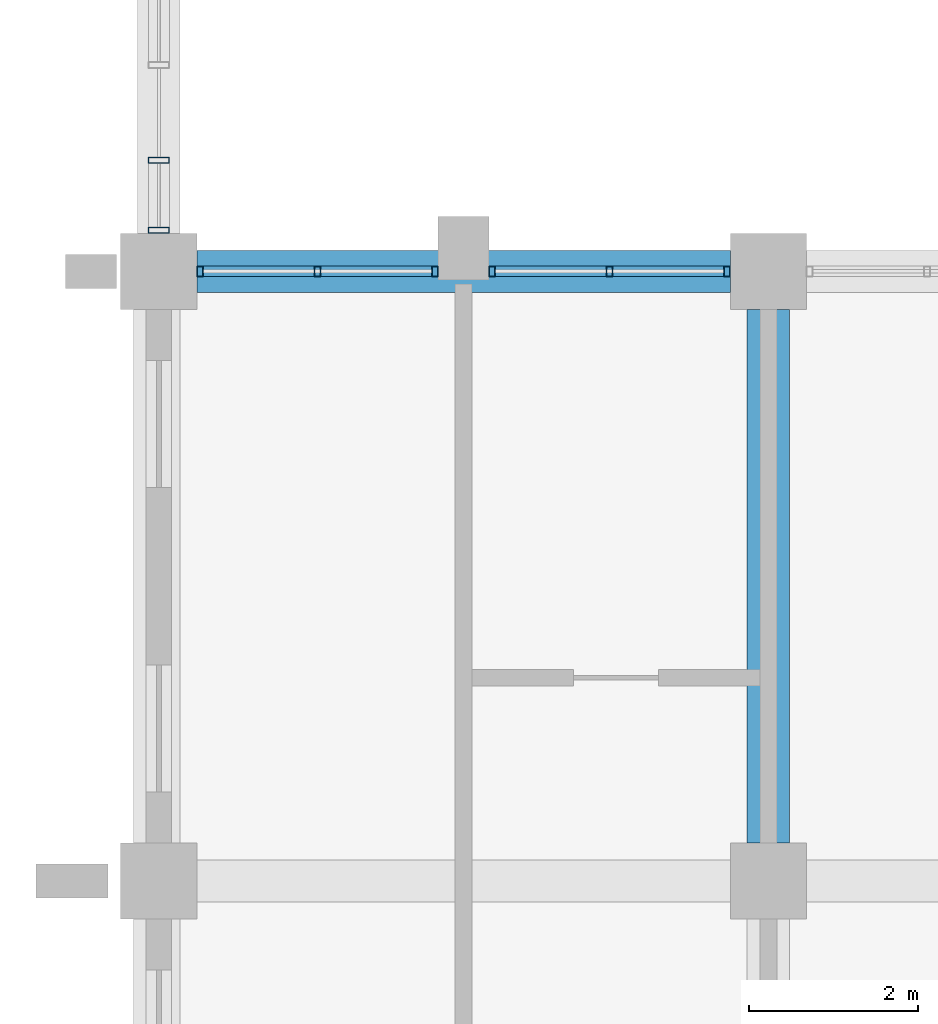
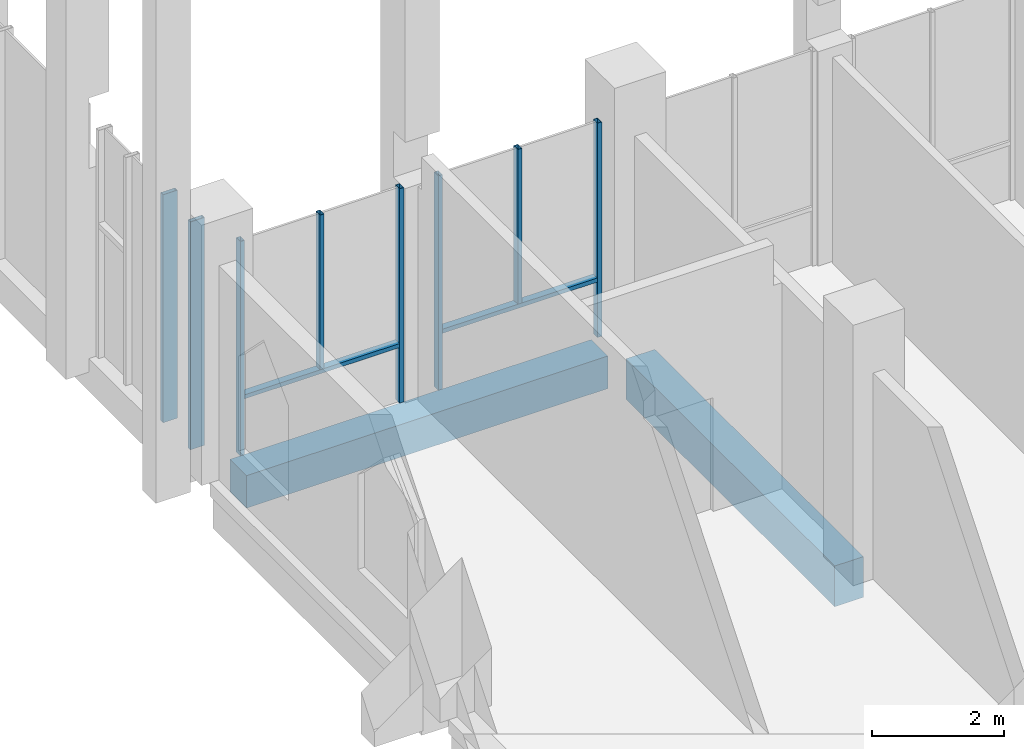
# One storey, part 2 of 40: 10 members, 2 beams, 3 elements without a shape of their own.
"""IFC4 building model written with IfcOpenShell, lengths in metres."""

from ifc_helpers import new_model, si_unit, direction, frame, origin, origin_2d, place, context, subcontext, project, spatial, rectangle, hollow_rectangle, extrude, material, material_profile, profile_set, type_object, element, aggregate, save


model = new_model("IFC4")

# Units and contexts
model_context = context("Model", 3, precision=1e-05, world=origin(), true_north=direction((0.0, 1.0)))
body_context = subcontext(model_context, "Body", "Model", "MODEL_VIEW")
ifc_project = project(units=[si_unit("LENGTHUNIT", "METRE"), si_unit("AREAUNIT", "SQUARE_METRE"), si_unit("VOLUMEUNIT", "CUBIC_METRE"), si_unit("PLANEANGLEUNIT", "RADIAN"), si_unit("MASSUNIT", "GRAM", prefix="KILO")], contexts=[model_context])

# Site, building, storey
site_placement = place(None, origin())
site = spatial("IfcSite", under=ifc_project, at=site_placement, CompositionType="ELEMENT")
building_placement = place(site_placement, origin())
building = spatial("IfcBuilding", under=site, at=building_placement, Name="Silangan Lancet Faculty of Sciences", CompositionType="ELEMENT")
storey_placement = place(building_placement, frame((0.0, 0.0, 21.60009765625)))
storey = spatial("IfcBuildingStorey", under=building, at=storey_placement, Name="L04", CompositionType="ELEMENT", Elevation=21.60009765625)

# Beams
ifc_material_1 = material(Name="Concrete C40/50", Category="concrete")
ifc_material_profile_1 = material_profile(ifc_material_1, rectangle(XDim=0.5, YDim=0.60009765625, at=origin_2d()), Name="RC 500x600")
ifc_profile_set_1 = profile_set([ifc_material_profile_1], Name="Concrete C40/50")
beam_type_1 = type_object("IfcBeamType", Name="BEAM RC 500x600", PredefinedType="BEAM", material=ifc_profile_set_1)
beam_1_placement = place(storey_placement, frame((0.449951171875, 21.60009765625, -0.550048828125), z_axis=(1.0, 0.0, 0.0), x_axis=(0.0, 1.0, 0.0)))
element("IfcBeam", 1, at=beam_1_placement, inside=storey, type_object=beam_type_1, Name="BM-L04-1D-2D", PredefinedType="BEAM", context=body_context, shape_type="SweptSolid", body=[
    extrude(rectangle(XDim=0.5, YDim=0.60009765625, at=origin_2d()), origin(), (0.0, 0.0, 1.0), 6.300048828125),
])
ifc_material_2 = material(Name="Concrete C40/50", Category="concrete")
ifc_material_profile_2 = material_profile(ifc_material_2, rectangle(XDim=0.5, YDim=0.75, at=origin_2d()), Name="RC 500x750")
ifc_profile_set_2 = profile_set([ifc_material_profile_2], Name="Concrete C40/50")
beam_type_2 = type_object("IfcBeamType", Name="BEAM RC 500x750", PredefinedType="BEAM", material=ifc_profile_set_2)
beam_2_placement = place(storey_placement, frame((7.199951171875, 14.85009765625, -0.625), z_axis=(0.0, 1.0, 0.0), x_axis=(-1.0, 0.0, 0.0)))
element("IfcBeam", 2, at=beam_2_placement, inside=storey, type_object=beam_type_2, Name="BM-L04-2C-2D", PredefinedType="BEAM", context=body_context, shape_type="SweptSolid", body=[
    extrude(rectangle(XDim=0.5, YDim=0.75, at=origin_2d()), origin(), (0.0, 0.0, 1.0), 6.2998046875),
])

# Curtain wall, members
ifc_material_3 = material(Name="Aluminium framed curtain wall with insulated glass", Category="aluminium")
curtain_wall_type_1 = type_object("IfcCurtainWallType", Name="CW2 Atrium fire-resisting screen", PredefinedType="NOTDEFINED", material=ifc_material_3)
curtain_wall_1_placement = place(storey_placement, origin())
curtain_wall_1 = element("IfcCurtainWall", 3, at=curtain_wall_1_placement, inside=storey, type_object=curtain_wall_type_1, Name="CW2 Atrium south L04 bay 5", PredefinedType="NOTDEFINED")
ifc_material_4 = material(Name="Steel S355J2H", Category="steel")
ifc_material_profile_3 = material_profile(ifc_material_4, hollow_rectangle(XDim=0.074951171875, YDim=0.125, WallThickness=0.0048828125, at=origin_2d()), Name="ST BOX 75x125x5")
ifc_profile_set_3 = profile_set([ifc_material_profile_3], Name="Steel S355J2H")
member_type_1 = type_object("IfcMemberType", Name="CM2 Mullion 75x125", PredefinedType="MULLION", material=ifc_profile_set_3)
member_1_placement = place(storey_placement, frame((6.71240234375, 21.60009765625, 0.0), z_axis=(0.0, 0.0, 1.0), x_axis=(-1.0, 0.0, 0.0)))
member_1 = element("IfcMember", 4, at=member_1_placement, type_object=member_type_1, Name="CW2 Atrium south L04 bay 5 mullion 1", PredefinedType="MULLION", context=body_context, shape_type="SweptSolid", body=[
    extrude(hollow_rectangle(XDim=0.074951171875, YDim=0.125, WallThickness=0.0048828125, at=origin_2d()), origin(), (0.0, 0.0, 1.0), 3.949951171875),
])
member_2_placement = place(storey_placement, frame((3.9375, 21.60009765625, 0.0), z_axis=(0.0, 0.0, 1.0), x_axis=(-1.0, 0.0, 0.0)))
member_2 = element("IfcMember", 5, at=member_2_placement, type_object=member_type_1, Name="CW2 Atrium south L04 bay 5 mullion 2", PredefinedType="MULLION", context=body_context, shape_type="SweptSolid", body=[
    extrude(hollow_rectangle(XDim=0.074951171875, YDim=0.125, WallThickness=0.0048828125, at=origin_2d()), origin(), (0.0, 0.0, 1.0), 3.949951171875),
])
member_3_placement = place(storey_placement, frame((5.324951171875, 21.60009765625, 1.099853515625), z_axis=(0.0, 0.0, 1.0), x_axis=(-1.0, 0.0, 0.0)))
member_3 = element("IfcMember", 6, at=member_3_placement, type_object=member_type_1, Name="CW2 Atrium south L04 bay 5 mullion 3", PredefinedType="MULLION", context=body_context, shape_type="SweptSolid", body=[
    extrude(hollow_rectangle(XDim=0.074951171875, YDim=0.125, WallThickness=0.0048828125, at=origin_2d()), origin(), (0.0, 0.0, 1.0), 2.85009765625),
])

curtain_wall_2_placement = place(storey_placement, origin())
curtain_wall_2 = element("IfcCurtainWall", 7, at=curtain_wall_2_placement, inside=storey, type_object=curtain_wall_type_1, Name="CW2 Atrium south L04 bay 6", PredefinedType="NOTDEFINED")
member_4_placement = place(storey_placement, frame((3.2626953125, 21.60009765625, 0.0), z_axis=(0.0, 0.0, 1.0), x_axis=(-1.0, 0.0, 0.0)))
member_4 = element("IfcMember", 8, at=member_4_placement, type_object=member_type_1, Name="CW2 Atrium south L04 bay 6 mullion 1", PredefinedType="MULLION", context=body_context, shape_type="SweptSolid", body=[
    extrude(hollow_rectangle(XDim=0.074951171875, YDim=0.125, WallThickness=0.0048828125, at=origin_2d()), origin(), (0.0, 0.0, 1.0), 3.949951171875),
])
member_5_placement = place(storey_placement, frame((0.487548828125, 21.60009765625, 0.0), z_axis=(0.0, 0.0, 1.0), x_axis=(-1.0, 0.0, 0.0)))
member_5 = element("IfcMember", 9, at=member_5_placement, type_object=member_type_1, Name="CW2 Atrium south L04 bay 6 mullion 2", PredefinedType="MULLION", context=body_context, shape_type="SweptSolid", body=[
    extrude(hollow_rectangle(XDim=0.074951171875, YDim=0.125, WallThickness=0.0048828125, at=origin_2d()), origin(), (0.0, 0.0, 1.0), 3.949951171875),
])
member_6_placement = place(storey_placement, frame((1.875, 21.60009765625, 1.099853515625), z_axis=(0.0, 0.0, 1.0), x_axis=(-1.0, 0.0, 0.0)))
member_6 = element("IfcMember", 10, at=member_6_placement, type_object=member_type_1, Name="CW2 Atrium south L04 bay 6 mullion 3", PredefinedType="MULLION", context=body_context, shape_type="SweptSolid", body=[
    extrude(hollow_rectangle(XDim=0.074951171875, YDim=0.125, WallThickness=0.0048828125, at=origin_2d()), origin(), (0.0, 0.0, 1.0), 2.85009765625),
])

ifc_material_5 = material(Name="Aluminium framed curtain wall with insulated glass", Category="aluminium")
curtain_wall_type_2 = type_object("IfcCurtainWallType", Name="CW3 West stepped lancet window", PredefinedType="NOTDEFINED", material=ifc_material_5)
curtain_wall_3_placement = place(storey_placement, origin())
curtain_wall_3 = element("IfcCurtainWall", 11, at=curtain_wall_3_placement, inside=storey, type_object=curtain_wall_type_2, Name="CW3 West window L04 bay 1", PredefinedType="NOTDEFINED")
ifc_material_6 = material(Name="Aluminium 6063-T6 extrusion", Category="aluminium")
ifc_material_profile_4 = material_profile(ifc_material_6, hollow_rectangle(XDim=0.074951171875, YDim=0.25, WallThickness=0.006103515625, at=origin_2d()), Name="AL BOX 75x250x6")
ifc_profile_set_4 = profile_set([ifc_material_profile_4], Name="Aluminium 6063-T6 extrusion")
member_type_2 = type_object("IfcMemberType", Name="CM3 Mullion 75x250", PredefinedType="MULLION", material=ifc_profile_set_4)
member_7_placement = place(storey_placement, frame((0.0, 22.08740234375, 0.0), z_axis=(0.0, 0.0, 1.0), x_axis=(0.0, 1.0, 0.0)))
member_7 = element("IfcMember", 12, at=member_7_placement, type_object=member_type_2, Name="CW3 West window L04 bay 1 mullion 1", PredefinedType="MULLION", context=body_context, shape_type="SweptSolid", body=[
    extrude(hollow_rectangle(XDim=0.074951171875, YDim=0.25, WallThickness=0.006103515625, at=origin_2d()), origin(), (0.0, 0.0, 1.0), 4.199951171875),
])
member_8_placement = place(storey_placement, frame((0.0, 22.91259765625, 0.0), z_axis=(0.0, 0.0, 1.0), x_axis=(0.0, 1.0, 0.0)))
member_8 = element("IfcMember", 13, at=member_8_placement, type_object=member_type_2, Name="CW3 West window L04 bay 1 mullion 3", PredefinedType="MULLION", context=body_context, shape_type="SweptSolid", body=[
    extrude(hollow_rectangle(XDim=0.074951171875, YDim=0.25, WallThickness=0.006103515625, at=origin_2d()), origin(), (0.0, 0.0, 1.0), 4.199951171875),
])
aggregate(curtain_wall_3, [member_7, member_8])

# Member
ifc_material_7 = material(Name="Steel S355J2H", Category="steel")
ifc_material_profile_5 = material_profile(ifc_material_7, hollow_rectangle(XDim=0.125, YDim=0.074951171875, WallThickness=0.0048828125, at=origin_2d()), Name="ST BOX 125x75x5")
ifc_profile_set_5 = profile_set([ifc_material_profile_5], Name="Steel S355J2H")
member_type_3 = type_object("IfcMemberType", Name="CT2 Transom 125x75", PredefinedType="USERDEFINED", material=ifc_profile_set_5)
member_9_placement = place(storey_placement, frame((6.675048828125, 21.60009765625, 1.0625), z_axis=(-1.0, 0.0, 0.0), x_axis=(0.0, -1.0, 0.0)))
member_9 = element("IfcMember", 14, at=member_9_placement, type_object=member_type_3, Name="CW2 Atrium south L04 bay 5 transom 1", ObjectType="TRANSOM", PredefinedType="USERDEFINED", context=body_context, shape_type="SweptSolid", body=[
    extrude(hollow_rectangle(XDim=0.125, YDim=0.074951171875, WallThickness=0.0048828125, at=origin_2d()), origin(), (0.0, 0.0, 1.0), 2.699951171875),
])

aggregate(curtain_wall_1, [member_1, member_2, member_3, member_9])

member_10_placement = place(storey_placement, frame((3.22509765625, 21.60009765625, 1.0625), z_axis=(-1.0, 0.0, 0.0), x_axis=(0.0, -1.0, 0.0)))
member_10 = element("IfcMember", 15, at=member_10_placement, type_object=member_type_3, Name="CW2 Atrium south L04 bay 6 transom 1", ObjectType="TRANSOM", PredefinedType="USERDEFINED", context=body_context, shape_type="SweptSolid", body=[
    extrude(hollow_rectangle(XDim=0.125, YDim=0.074951171875, WallThickness=0.0048828125, at=origin_2d()), origin(), (0.0, 0.0, 1.0), 2.7001953125),
])

aggregate(curtain_wall_2, [member_4, member_5, member_6, member_10])

save(model, "model.ifc")
